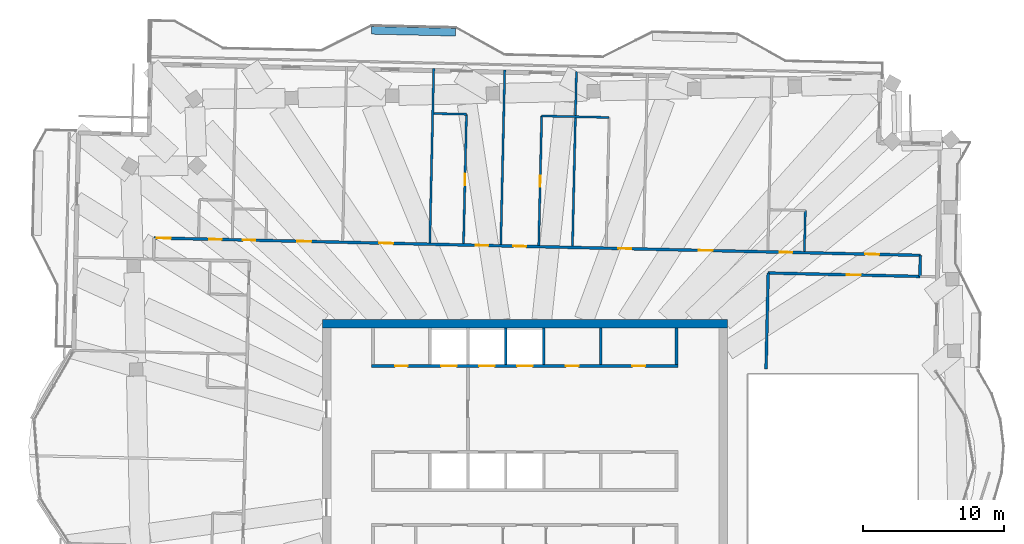
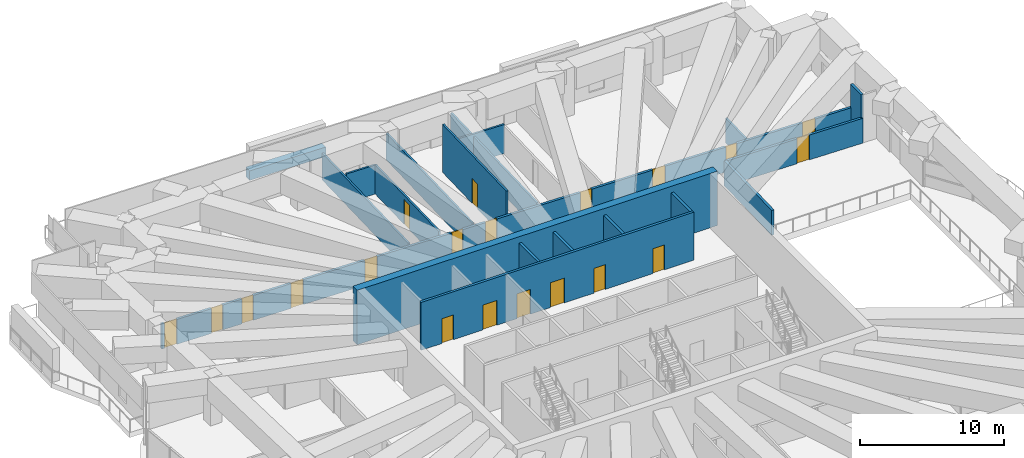
# One storey, part 13 of 20: 20 doors, 19 walls, 20 openings.
"""IFC4 building model written with IfcOpenShell, lengths in metres."""

from ifc_helpers import new_model, si_unit, direction, frame, frame_2d, origin, place, context, subcontext, project, spatial, rectangle, extrude, material, layer, layer_set, type_object, element, fill, save


model = new_model("IFC4")

# Units and contexts
model_context = context("Model", 3, precision=1e-05, world=origin(), true_north=direction((0.0, 1.0)))
body_context = subcontext(model_context, "Body", "Model", "MODEL_VIEW")
ifc_project = project(units=[si_unit("LENGTHUNIT", "METRE"), si_unit("AREAUNIT", "SQUARE_METRE"), si_unit("VOLUMEUNIT", "CUBIC_METRE"), si_unit("PLANEANGLEUNIT", "RADIAN"), si_unit("MASSUNIT", "GRAM", prefix="KILO")], contexts=[model_context])

# Site, building, storey
site_placement = place(None, origin())
site = spatial("IfcSite", under=ifc_project, at=site_placement, CompositionType="ELEMENT")
building_placement = place(site_placement, origin())
building = spatial("IfcBuilding", under=site, at=building_placement, Name="Mangrove Gate Tower", CompositionType="ELEMENT")
storey_placement = place(building_placement, frame((0.0, 0.0, 301.5)))
storey = spatial("IfcBuildingStorey", under=building, at=storey_placement, Name="L77", CompositionType="ELEMENT", Elevation=301.5)

# Walls
ifc_material_1 = material(Name="Concrete C32/40", Category="concrete")
ifc_layer_1 = layer(ifc_material_1, 0.199951171875)
ifc_layer_set_1 = layer_set([ifc_layer_1], Name="Core room wall 200 C32/40")
wall_type_1 = type_object("IfcWallType", Name="Core room wall 200 C32/40", PredefinedType="STANDARD", material=ifc_layer_set_1)
for number, where, z_axis, x_axis, name in (
    (1, (5.39990234375, 8.199951171875, 0.0), (0.0, 0.0, 1.0), (0.0, 1.0, 0.0), "WALL-L77-CORE-31"),
    (2, (10.800048828125, 8.199951171875, 0.0), (0.0, 0.0, 1.0), (0.0, 1.0, 0.0), "WALL-L77-CORE-32"),
):
    element("IfcWall", number, at=place(storey_placement, frame(where, z_axis=z_axis, x_axis=x_axis)), inside=storey, type_object=wall_type_1, Name=name, PredefinedType="STANDARD", context=body_context, shape_type="SweptSolid", body=[
        extrude(rectangle(XDim=2.60009765625, YDim=0.199951171875, at=frame_2d((1.300048828125, 0.0))), origin(), (0.0, 0.0, 1.0), 4.050048828125),
    ])

# Wall, openings, doors
ifc_material_2 = material(Name="Concrete C50/60", Category="concrete")
ifc_layer_2 = layer(ifc_material_2, 0.199951171875)
ifc_layer_set_2 = layer_set([ifc_layer_2], Name="Core shaft wall 200 C50/60")
wall_type_2 = type_object("IfcWallType", Name="Core shaft wall 200 C50/60", PredefinedType="SHEAR", material=ifc_layer_set_2)
wall_1_placement = place(storey_placement, frame((-10.89990234375, 8.10009765625, 0.0), z_axis=(0.0, 0.0, 1.0), x_axis=(1.0, 0.0, 0.0)))
wall_1 = element("IfcWall", 3, at=wall_1_placement, inside=storey, type_object=wall_type_2, Name="WALL-L77-CORE-8", PredefinedType="SHEAR", context=body_context, shape_type="SweptSolid", body=[
    extrude(rectangle(XDim=21.7998046875, YDim=0.199951171875, at=frame_2d((10.89990234375, 0.0))), origin(), (0.0, 0.0, 1.0), 4.050048828125),
])
opening_1_placement = place(wall_1_placement, frame((4.949951171875, 0.0, 0.0)))
opening_1 = element("IfcOpeningElement", 4, at=opening_1_placement, cuts=wall_1, Name="Opening LD", PredefinedType="OPENING", context=body_context, shape_type="SweptSolid", body=[
    extrude(rectangle(XDim=1.10009765625, YDim=2.10009765625, at=frame_2d((0.550048828125, 1.050048828125))), frame((0.0, 0.10986328125, 0.0), z_axis=(0.0, -1.0, 0.0), x_axis=(1.0, 0.0, 0.0)), (0.0, 0.0, 1.0), 0.219970703125),
])
opening_2_placement = place(wall_1_placement, frame((7.64990234375, 0.0, 0.0)))
opening_2 = element("IfcOpeningElement", 5, at=opening_2_placement, cuts=wall_1, Name="Opening LD", PredefinedType="OPENING", context=body_context, shape_type="SweptSolid", body=[
    extrude(rectangle(XDim=1.10009765625, YDim=2.10009765625, at=frame_2d((0.550048828125, 1.050048828125))), frame((0.0, 0.10986328125, 0.0), z_axis=(0.0, -1.0, 0.0), x_axis=(1.0, 0.0, 0.0)), (0.0, 0.0, 1.0), 0.219970703125),
])
opening_3_placement = place(wall_1_placement, frame((10.35009765625, 0.0, 0.0)))
opening_3 = element("IfcOpeningElement", 6, at=opening_3_placement, cuts=wall_1, Name="Opening LD", PredefinedType="OPENING", context=body_context, shape_type="SweptSolid", body=[
    extrude(rectangle(XDim=1.10009765625, YDim=2.10009765625, at=frame_2d((0.550048828125, 1.050048828125))), frame((0.0, 0.10986328125, 0.0), z_axis=(0.0, -1.0, 0.0), x_axis=(1.0, 0.0, 0.0)), (0.0, 0.0, 1.0), 0.219970703125),
])
opening_4_placement = place(wall_1_placement, frame((1.675048828125, 0.0, 0.0)))
opening_4 = element("IfcOpeningElement", 7, at=opening_4_placement, cuts=wall_1, Name="Opening KD", PredefinedType="OPENING", context=body_context, shape_type="SweptSolid", body=[
    extrude(rectangle(XDim=0.89990234375, YDim=2.10009765625, at=frame_2d((0.449951171875, 1.050048828125))), frame((0.0, 0.10986328125, 0.0), z_axis=(0.0, -1.0, 0.0), x_axis=(1.0, 0.0, 0.0)), (0.0, 0.0, 1.0), 0.219970703125),
])
opening_5_placement = place(wall_1_placement, frame((13.824951171875, 0.0, 0.0)))
opening_5 = element("IfcOpeningElement", 8, at=opening_5_placement, cuts=wall_1, Name="Opening KD", PredefinedType="OPENING", context=body_context, shape_type="SweptSolid", body=[
    extrude(rectangle(XDim=0.89990234375, YDim=2.10009765625, at=frame_2d((0.449951171875, 1.050048828125))), frame((0.0, 0.10986328125, 0.0), z_axis=(0.0, -1.0, 0.0), x_axis=(1.0, 0.0, 0.0)), (0.0, 0.0, 1.0), 0.219970703125),
])
opening_6_placement = place(wall_1_placement, frame((18.550048828125, 0.0, 0.0)))
opening_6 = element("IfcOpeningElement", 9, at=opening_6_placement, cuts=wall_1, Name="Opening RD", PredefinedType="OPENING", context=body_context, shape_type="SweptSolid", body=[
    extrude(rectangle(XDim=0.89990234375, YDim=2.10009765625, at=frame_2d((0.449951171875, 1.050048828125))), frame((0.0, 0.10986328125, 0.0), z_axis=(0.0, -1.0, 0.0), x_axis=(1.0, 0.0, 0.0)), (0.0, 0.0, 1.0), 0.219970703125),
])
ifc_material_3 = material(Name="Fire-rated steel door set", Category="steel")
door_type_1 = type_object("IfcDoorType", Name="Core room door FD30S 900x2100", OperationType="SINGLE_SWING_RIGHT", PredefinedType="DOOR", material=ifc_material_3)
door_1_placement = place(opening_4_placement, origin())
door_1 = element("IfcDoor", 10, at=door_1_placement, inside=storey, type_object=door_type_1, Name="Core room door Cleaner's store", OperationType="SINGLE_SWING_RIGHT", OverallHeight=2.10009765625, OverallWidth=0.89990234375, PredefinedType="DOOR", context=body_context, shape_type="SweptSolid", body=[
    extrude(rectangle(XDim=0.89990234375, YDim=2.10009765625, at=frame_2d((0.449951171875, 1.050048828125))), frame((0.0, 0.02490234375, 0.0), z_axis=(0.0, -1.0, 0.0), x_axis=(1.0, 0.0, 0.0)), (0.0, 0.0, 1.0), 0.050048828125),
])
fill(opening_4, door_1)
door_2_placement = place(opening_5_placement, origin())
door_2 = element("IfcDoor", 11, at=door_2_placement, inside=storey, type_object=door_type_1, Name="Core room door Refuse store", OperationType="SINGLE_SWING_RIGHT", OverallHeight=2.10009765625, OverallWidth=0.89990234375, PredefinedType="DOOR", context=body_context, shape_type="SweptSolid", body=[
    extrude(rectangle(XDim=0.89990234375, YDim=2.10009765625, at=frame_2d((0.449951171875, 1.050048828125))), frame((0.0, 0.02490234375, 0.0), z_axis=(0.0, -1.0, 0.0), x_axis=(1.0, 0.0, 0.0)), (0.0, 0.0, 1.0), 0.050048828125),
])
fill(opening_5, door_2)
ifc_material_4 = material(Name="Stainless steel 316", Category="steel")
door_type_2 = type_object("IfcDoorType", Name="Lift landing door 1100x2100", OperationType="SLIDING_TO_LEFT", PredefinedType="DOOR", material=ifc_material_4)
door_3_placement = place(opening_1_placement, origin())
door_3 = element("IfcDoor", 12, at=door_3_placement, inside=storey, type_object=door_type_2, Name="Landing door LD H04", OperationType="SLIDING_TO_LEFT", OverallHeight=2.10009765625, OverallWidth=1.10009765625, PredefinedType="DOOR", context=body_context, shape_type="SweptSolid", body=[
    extrude(rectangle(XDim=1.10009765625, YDim=2.10009765625, at=frame_2d((0.550048828125, 1.050048828125))), frame((0.0, 0.02490234375, 0.0), z_axis=(0.0, -1.0, 0.0), x_axis=(1.0, 0.0, 0.0)), (0.0, 0.0, 1.0), 0.050048828125),
])
fill(opening_1, door_3)
door_4_placement = place(opening_2_placement, origin())
door_4 = element("IfcDoor", 13, at=door_4_placement, inside=storey, type_object=door_type_2, Name="Landing door LD H05", OperationType="SLIDING_TO_LEFT", OverallHeight=2.10009765625, OverallWidth=1.10009765625, PredefinedType="DOOR", context=body_context, shape_type="SweptSolid", body=[
    extrude(rectangle(XDim=1.10009765625, YDim=2.10009765625, at=frame_2d((0.550048828125, 1.050048828125))), frame((0.0, 0.02490234375, 0.0), z_axis=(0.0, -1.0, 0.0), x_axis=(1.0, 0.0, 0.0)), (0.0, 0.0, 1.0), 0.050048828125),
])
fill(opening_2, door_4)
door_5_placement = place(opening_3_placement, origin())
door_5 = element("IfcDoor", 14, at=door_5_placement, inside=storey, type_object=door_type_2, Name="Landing door LD H06", OperationType="SLIDING_TO_LEFT", OverallHeight=2.10009765625, OverallWidth=1.10009765625, PredefinedType="DOOR", context=body_context, shape_type="SweptSolid", body=[
    extrude(rectangle(XDim=1.10009765625, YDim=2.10009765625, at=frame_2d((0.550048828125, 1.050048828125))), frame((0.0, 0.02490234375, 0.0), z_axis=(0.0, -1.0, 0.0), x_axis=(1.0, 0.0, 0.0)), (0.0, 0.0, 1.0), 0.050048828125),
])
fill(opening_3, door_5)
ifc_material_5 = material(Name="Fire-rated steel door set", Category="steel")
door_type_3 = type_object("IfcDoorType", Name="Riser door FD30S 900x2100", OperationType="SINGLE_SWING_LEFT", PredefinedType="DOOR", material=ifc_material_5)
door_6_placement = place(opening_6_placement, origin())
door_6 = element("IfcDoor", 15, at=door_6_placement, inside=storey, type_object=door_type_3, Name="Riser door Electrical room", OperationType="SINGLE_SWING_LEFT", OverallHeight=2.10009765625, OverallWidth=0.89990234375, PredefinedType="DOOR", context=body_context, shape_type="SweptSolid", body=[
    extrude(rectangle(XDim=0.89990234375, YDim=2.10009765625, at=frame_2d((0.449951171875, 1.050048828125))), frame((0.0, 0.02490234375, 0.0), z_axis=(0.0, -1.0, 0.0), x_axis=(1.0, 0.0, 0.0)), (0.0, 0.0, 1.0), 0.050048828125),
])
fill(opening_6, door_6)

# Walls
for number, where, z_axis, x_axis, name in (
    (16, (-1.35009765625, 8.199951171875, 0.0), (0.0, 0.0, 1.0), (0.0, 1.0, 0.0), "WALL-L77-CORE-29"),
    (17, (1.35009765625, 8.199951171875, 0.0), (0.0, 0.0, 1.0), (0.0, 1.0, 0.0), "WALL-L77-CORE-30"),
):
    element("IfcWall", number, at=place(storey_placement, frame(where, z_axis=z_axis, x_axis=x_axis)), inside=storey, type_object=wall_type_2, Name=name, PredefinedType="SHEAR", context=body_context, shape_type="SweptSolid", body=[
        extrude(rectangle(XDim=2.60009765625, YDim=0.199951171875, at=frame_2d((1.300048828125, 0.0))), origin(), (0.0, 0.0, 1.0), 4.050048828125),
    ])
ifc_material_6 = material(Name="Concrete C50/60", Category="concrete")
ifc_layer_3 = layer(ifc_material_6, 0.60009765625)
ifc_layer_set_3 = layer_set([ifc_layer_3], Name="Core wall 600 C50/60")
wall_type_3 = type_object("IfcWallType", Name="Core wall 600 C50/60", PredefinedType="SHEAR", material=ifc_layer_set_3)
wall_2_placement = place(storey_placement, frame((-14.39990234375, 11.10009765625, 0.0), z_axis=(0.0, 0.0, 1.0), x_axis=(1.0, 0.0, 0.0)))
element("IfcWall", 18, at=wall_2_placement, inside=storey, type_object=wall_type_3, Name="WALL-L77-CORE-2", PredefinedType="SHEAR", context=body_context, shape_type="SweptSolid", body=[
    extrude(rectangle(XDim=28.7998046875, YDim=0.60009765625, at=frame_2d((14.39990234375, 0.0))), origin(), (0.0, 0.0, 1.0), 4.60009765625),
])
ifc_material_7 = material(Name="Gypsum board on steel stud, EI 60", Category="steel")
ifc_layer_4 = layer(ifc_material_7, 0.199951171875)
ifc_layer_set_4 = layer_set([ifc_layer_4], Name="Corridor wall EI 60")
wall_type_4 = type_object("IfcWallType", Name="Corridor wall EI 60", PredefinedType="PARTITIONING", material=ifc_layer_set_4)
wall_3_placement = place(storey_placement, frame((17.156982421875, 7.89794921875, 0.0), z_axis=(0.0, 0.0, 1.0), x_axis=(0.022562209343, 0.999745440955, 0.0)))
element("IfcWall", 19, at=wall_3_placement, inside=storey, type_object=wall_type_4, Name="WALL-L77-038", PredefinedType="PARTITIONING", context=body_context, shape_type="SweptSolid", body=[
    extrude(rectangle(XDim=6.827880859375, YDim=0.199951171875, at=frame_2d((3.4140625, 0.0))), origin(), (0.0, 0.0, 1.0), 2.10009765625),
])

# Wall, opening, door
wall_4_placement = place(storey_placement, frame((17.305908203125, 14.72412109375, 0.0), z_axis=(0.0, 0.0, 1.0), x_axis=(0.999744269809, -0.022614043969, 0.0)))
wall_4 = element("IfcWall", 20, at=wall_4_placement, inside=storey, type_object=wall_type_4, Name="WALL-L77-045", PredefinedType="PARTITIONING", context=body_context, shape_type="SweptSolid", body=[
    extrude(rectangle(XDim=10.7958984375, YDim=0.199951171875, at=frame_2d((5.39794921875, 0.0))), origin(), (0.0, 0.0, 1.0), 2.10009765625),
])
opening_7_placement = place(wall_4_placement, frame((5.597900390625, 0.0, 0.0)))
opening_7 = element("IfcOpeningElement", 21, at=opening_7_placement, cuts=wall_4, Name="Opening AD", PredefinedType="OPENING", context=body_context, shape_type="SweptSolid", body=[
    extrude(rectangle(XDim=1.0, YDim=2.10009765625, at=frame_2d((0.5, 1.050048828125))), frame((0.0, 0.10986328125, 0.0), z_axis=(0.0, -1.0, 0.0), x_axis=(1.0, 0.0, 0.0)), (0.0, 0.0, 1.0), 0.219970703125),
])
ifc_material_8 = material(Name="Timber door leaf", Category="wood")
door_type_4 = type_object("IfcDoorType", Name="Amenity door 1000", OperationType="SINGLE_SWING_LEFT", PredefinedType="DOOR", material=ifc_material_8)
door_7_placement = place(opening_7_placement, origin())
door_7 = element("IfcDoor", 22, at=door_7_placement, inside=storey, type_object=door_type_4, Name="DOOR-L77-LNG-c3a", OperationType="SINGLE_SWING_LEFT", OverallHeight=2.10009765625, OverallWidth=1.0, PredefinedType="DOOR", context=body_context, shape_type="SweptSolid", body=[
    extrude(rectangle(XDim=1.0, YDim=2.10009765625, at=frame_2d((0.5, 1.050048828125))), frame((0.0, 0.02490234375, 0.0), z_axis=(0.0, -1.0, 0.0), x_axis=(1.0, 0.0, 0.0)), (0.0, 0.0, 1.0), 0.050048828125),
])
fill(opening_7, door_7)

# Wall
wall_5_placement = place(storey_placement, frame((28.09912109375, 14.47998046875, 0.0), z_axis=(0.0, 0.0, 1.0), x_axis=(0.022632637625, 0.99974384905, 0.0)))
element("IfcWall", 23, at=wall_5_placement, inside=storey, type_object=wall_type_4, Name="WALL-L77-047", PredefinedType="PARTITIONING", context=body_context, shape_type="SweptSolid", body=[
    extrude(rectangle(XDim=1.49951171875, YDim=0.199951171875, at=frame_2d((0.749755859375, 0.0))), origin(), (0.0, 0.0, 1.0), 4.050048828125),
])

# Wall, openings, doors
wall_6_placement = place(storey_placement, frame((-26.362060546875, 17.216064453125, 0.0), z_axis=(0.0, 0.0, 1.0), x_axis=(0.999742445627, -0.022694545867, 0.0)))
wall_6 = element("IfcWall", 24, at=wall_6_placement, inside=storey, type_object=wall_type_4, Name="WALL-L77-048", PredefinedType="PARTITIONING", context=body_context, shape_type="SweptSolid", body=[
    extrude(rectangle(XDim=54.50927734375, YDim=0.199951171875, at=frame_2d((27.254638671875, 0.0))), origin(), (0.0, 0.0, 1.0), 2.10009765625),
])
opening_8_placement = place(wall_6_placement, frame((50.583984375, 0.0, 0.0)))
opening_8 = element("IfcOpeningElement", 25, at=opening_8_placement, cuts=wall_6, Name="Opening AD", PredefinedType="OPENING", context=body_context, shape_type="SweptSolid", body=[
    extrude(rectangle(XDim=1.0, YDim=2.10009765625, at=frame_2d((0.5, 1.050048828125))), frame((0.0, 0.10986328125, 0.0), z_axis=(0.0, -1.0, 0.0), x_axis=(1.0, 0.0, 0.0)), (0.0, 0.0, 1.0), 0.219970703125),
])
opening_9_placement = place(wall_6_placement, frame((44.509033203125, 0.0, 0.0)))
opening_9 = element("IfcOpeningElement", 26, at=opening_9_placement, cuts=wall_6, Name="Opening SD", PredefinedType="OPENING", context=body_context, shape_type="SweptSolid", body=[
    extrude(rectangle(XDim=0.89990234375, YDim=2.10009765625, at=frame_2d((0.449951171875, 1.050048828125))), frame((0.0, 0.10986328125, 0.0), z_axis=(0.0, -1.0, 0.0), x_axis=(1.0, 0.0, 0.0)), (0.0, 0.0, 1.0), 0.219970703125),
])
opening_10_placement = place(wall_6_placement, frame((38.73388671875, 0.0, 0.0)))
opening_10 = element("IfcOpeningElement", 27, at=opening_10_placement, cuts=wall_6, Name="Opening AD", PredefinedType="OPENING", context=body_context, shape_type="SweptSolid", body=[
    extrude(rectangle(XDim=1.0, YDim=2.10009765625, at=frame_2d((0.5, 1.050048828125))), frame((0.0, 0.10986328125, 0.0), z_axis=(0.0, -1.0, 0.0), x_axis=(1.0, 0.0, 0.0)), (0.0, 0.0, 1.0), 0.219970703125),
])
opening_11_placement = place(wall_6_placement, frame((33.033935546875, 0.0, 0.0)))
opening_11 = element("IfcOpeningElement", 28, at=opening_11_placement, cuts=wall_6, Name="Opening BD", PredefinedType="OPENING", context=body_context, shape_type="SweptSolid", body=[
    extrude(rectangle(XDim=0.89990234375, YDim=2.10009765625, at=frame_2d((0.449951171875, 1.050048828125))), frame((0.0, 0.10986328125, 0.0), z_axis=(0.0, -1.0, 0.0), x_axis=(1.0, 0.0, 0.0)), (0.0, 0.0, 1.0), 0.219970703125),
])
opening_12_placement = place(wall_6_placement, frame((25.55908203125, 0.0, 0.0)))
opening_12 = element("IfcOpeningElement", 29, at=opening_12_placement, cuts=wall_6, Name="Opening BD", PredefinedType="OPENING", context=body_context, shape_type="SweptSolid", body=[
    extrude(rectangle(XDim=0.89990234375, YDim=2.10009765625, at=frame_2d((0.449951171875, 1.050048828125))), frame((0.0, 0.10986328125, 0.0), z_axis=(0.0, -1.0, 0.0), x_axis=(1.0, 0.0, 0.0)), (0.0, 0.0, 1.0), 0.219970703125),
])
opening_13_placement = place(wall_6_placement, frame((22.884033203125, 0.0, 0.0)))
opening_13 = element("IfcOpeningElement", 30, at=opening_13_placement, cuts=wall_6, Name="Opening BD", PredefinedType="OPENING", context=body_context, shape_type="SweptSolid", body=[
    extrude(rectangle(XDim=0.89990234375, YDim=2.10009765625, at=frame_2d((0.449951171875, 1.050048828125))), frame((0.0, 0.10986328125, 0.0), z_axis=(0.0, -1.0, 0.0), x_axis=(1.0, 0.0, 0.0)), (0.0, 0.0, 1.0), 0.219970703125),
])
opening_14_placement = place(wall_6_placement, frame((16.009033203125, 0.0, 0.0)))
opening_14 = element("IfcOpeningElement", 31, at=opening_14_placement, cuts=wall_6, Name="Opening AD", PredefinedType="OPENING", context=body_context, shape_type="SweptSolid", body=[
    extrude(rectangle(XDim=1.0, YDim=2.10009765625, at=frame_2d((0.5, 1.050048828125))), frame((0.0, 0.10986328125, 0.0), z_axis=(0.0, -1.0, 0.0), x_axis=(1.0, 0.0, 0.0)), (0.0, 0.0, 1.0), 0.219970703125),
])
opening_15_placement = place(wall_6_placement, frame((10.18408203125, 0.0, 0.0)))
opening_15 = element("IfcOpeningElement", 32, at=opening_15_placement, cuts=wall_6, Name="Opening AD", PredefinedType="OPENING", context=body_context, shape_type="SweptSolid", body=[
    extrude(rectangle(XDim=1.0, YDim=2.10009765625, at=frame_2d((0.5, 1.050048828125))), frame((0.0, 0.10986328125, 0.0), z_axis=(0.0, -1.0, 0.0), x_axis=(1.0, 0.0, 0.0)), (0.0, 0.0, 1.0), 0.219970703125),
])
opening_16_placement = place(wall_6_placement, frame((6.30908203125, 0.0, 0.0)))
opening_16 = element("IfcOpeningElement", 33, at=opening_16_placement, cuts=wall_6, Name="Opening SD", PredefinedType="OPENING", context=body_context, shape_type="SweptSolid", body=[
    extrude(rectangle(XDim=0.89990234375, YDim=2.10009765625, at=frame_2d((0.449951171875, 1.050048828125))), frame((0.0, 0.10986328125, 0.0), z_axis=(0.0, -1.0, 0.0), x_axis=(1.0, 0.0, 0.0)), (0.0, 0.0, 1.0), 0.219970703125),
])
opening_17_placement = place(wall_6_placement, frame((0.199951171875, 0.0, 0.0)))
opening_17 = element("IfcOpeningElement", 34, at=opening_17_placement, cuts=wall_6, Name="Opening AD", PredefinedType="OPENING", context=body_context, shape_type="SweptSolid", body=[
    extrude(rectangle(XDim=1.0, YDim=2.10009765625, at=frame_2d((0.5, 1.050048828125))), frame((0.0, 0.10986328125, 0.0), z_axis=(0.0, -1.0, 0.0), x_axis=(1.0, 0.0, 0.0)), (0.0, 0.0, 1.0), 0.219970703125),
])
opening_18_placement = place(wall_6_placement, frame((3.908935546875, 0.0, 0.0)))
opening_18 = element("IfcOpeningElement", 35, at=opening_18_placement, cuts=wall_6, Name="Opening SD", PredefinedType="OPENING", context=body_context, shape_type="SweptSolid", body=[
    extrude(rectangle(XDim=0.89990234375, YDim=2.10009765625, at=frame_2d((0.449951171875, 1.050048828125))), frame((0.0, 0.10986328125, 0.0), z_axis=(0.0, -1.0, 0.0), x_axis=(1.0, 0.0, 0.0)), (0.0, 0.0, 1.0), 0.219970703125),
])
door_8_placement = place(opening_8_placement, origin())
door_8 = element("IfcDoor", 36, at=door_8_placement, inside=storey, type_object=door_type_4, Name="DOOR-L77-GAM-c3a", OperationType="SINGLE_SWING_RIGHT", OverallHeight=2.10009765625, OverallWidth=1.0, PredefinedType="DOOR", context=body_context, shape_type="SweptSolid", body=[
    extrude(rectangle(XDim=1.0, YDim=2.10009765625, at=frame_2d((0.5, 1.050048828125))), frame((0.0, 0.02490234375, 0.0), z_axis=(0.0, -1.0, 0.0), x_axis=(1.0, 0.0, 0.0)), (0.0, 0.0, 1.0), 0.050048828125),
])
fill(opening_8, door_8)
door_9_placement = place(opening_10_placement, origin())
door_9 = element("IfcDoor", 37, at=door_9_placement, inside=storey, type_object=door_type_4, Name="DOOR-L77-LNG-c3b", OperationType="SINGLE_SWING_LEFT", OverallHeight=2.10009765625, OverallWidth=1.0, PredefinedType="DOOR", context=body_context, shape_type="SweptSolid", body=[
    extrude(rectangle(XDim=1.0, YDim=2.10009765625, at=frame_2d((0.5, 1.050048828125))), frame((0.0, 0.02490234375, 0.0), z_axis=(0.0, -1.0, 0.0), x_axis=(1.0, 0.0, 0.0)), (0.0, 0.0, 1.0), 0.050048828125),
])
fill(opening_10, door_9)
door_10_placement = place(opening_14_placement, origin())
door_10 = element("IfcDoor", 38, at=door_10_placement, inside=storey, type_object=door_type_4, Name="DOOR-L77-KIT-c5a", OperationType="SINGLE_SWING_RIGHT", OverallHeight=2.10009765625, OverallWidth=1.0, PredefinedType="DOOR", context=body_context, shape_type="SweptSolid", body=[
    extrude(rectangle(XDim=1.0, YDim=2.10009765625, at=frame_2d((0.5, 1.050048828125))), frame((0.0, 0.02490234375, 0.0), z_axis=(0.0, -1.0, 0.0), x_axis=(1.0, 0.0, 0.0)), (0.0, 0.0, 1.0), 0.050048828125),
])
fill(opening_14, door_10)
door_11_placement = place(opening_15_placement, origin())
door_11 = element("IfcDoor", 39, at=door_11_placement, inside=storey, type_object=door_type_4, Name="DOOR-L77-GAM-c5a", OperationType="SINGLE_SWING_LEFT", OverallHeight=2.10009765625, OverallWidth=1.0, PredefinedType="DOOR", context=body_context, shape_type="SweptSolid", body=[
    extrude(rectangle(XDim=1.0, YDim=2.10009765625, at=frame_2d((0.5, 1.050048828125))), frame((0.0, 0.02490234375, 0.0), z_axis=(0.0, -1.0, 0.0), x_axis=(1.0, 0.0, 0.0)), (0.0, 0.0, 1.0), 0.050048828125),
])
fill(opening_15, door_11)
door_12_placement = place(opening_17_placement, origin())
door_12 = element("IfcDoor", 40, at=door_12_placement, inside=storey, type_object=door_type_4, Name="DOOR-L77-KIT-c5b", OperationType="SINGLE_SWING_RIGHT", OverallHeight=2.10009765625, OverallWidth=1.0, PredefinedType="DOOR", context=body_context, shape_type="SweptSolid", body=[
    extrude(rectangle(XDim=1.0, YDim=2.10009765625, at=frame_2d((0.5, 1.050048828125))), frame((0.0, 0.02490234375, 0.0), z_axis=(0.0, -1.0, 0.0), x_axis=(1.0, 0.0, 0.0)), (0.0, 0.0, 1.0), 0.050048828125),
])
fill(opening_17, door_12)
ifc_material_9 = material(Name="Timber door leaf", Category="wood")
door_type_5 = type_object("IfcDoorType", Name="Bedroom door 900", OperationType="SINGLE_SWING_LEFT", PredefinedType="DOOR", material=ifc_material_9)
door_13_placement = place(opening_11_placement, origin())
door_13 = element("IfcDoor", 41, at=door_13_placement, inside=storey, type_object=door_type_5, Name="DOOR-L77-BED-c304", OperationType="SINGLE_SWING_RIGHT", OverallHeight=2.10009765625, OverallWidth=0.89990234375, PredefinedType="DOOR", context=body_context, shape_type="SweptSolid", body=[
    extrude(rectangle(XDim=0.89990234375, YDim=2.10009765625, at=frame_2d((0.449951171875, 1.050048828125))), frame((0.0, 0.02490234375, 0.0), z_axis=(0.0, -1.0, 0.0), x_axis=(1.0, 0.0, 0.0)), (0.0, 0.0, 1.0), 0.050048828125),
])
fill(opening_11, door_13)
door_14_placement = place(opening_12_placement, origin())
door_14 = element("IfcDoor", 42, at=door_14_placement, inside=storey, type_object=door_type_5, Name="DOOR-L77-BED-c405", OperationType="SINGLE_SWING_LEFT", OverallHeight=2.10009765625, OverallWidth=0.89990234375, PredefinedType="DOOR", context=body_context, shape_type="SweptSolid", body=[
    extrude(rectangle(XDim=0.89990234375, YDim=2.10009765625, at=frame_2d((0.449951171875, 1.050048828125))), frame((0.0, 0.02490234375, 0.0), z_axis=(0.0, -1.0, 0.0), x_axis=(1.0, 0.0, 0.0)), (0.0, 0.0, 1.0), 0.050048828125),
])
fill(opening_12, door_14)
door_15_placement = place(opening_13_placement, origin())
door_15 = element("IfcDoor", 43, at=door_15_placement, inside=storey, type_object=door_type_5, Name="DOOR-L77-BED-c506", OperationType="SINGLE_SWING_RIGHT", OverallHeight=2.10009765625, OverallWidth=0.89990234375, PredefinedType="DOOR", context=body_context, shape_type="SweptSolid", body=[
    extrude(rectangle(XDim=0.89990234375, YDim=2.10009765625, at=frame_2d((0.449951171875, 1.050048828125))), frame((0.0, 0.02490234375, 0.0), z_axis=(0.0, -1.0, 0.0), x_axis=(1.0, 0.0, 0.0)), (0.0, 0.0, 1.0), 0.050048828125),
])
fill(opening_13, door_15)
ifc_material_10 = material(Name="Timber door leaf", Category="wood")
door_type_6 = type_object("IfcDoorType", Name="Service room door 900", OperationType="SINGLE_SWING_LEFT", PredefinedType="DOOR", material=ifc_material_10)
door_16_placement = place(opening_9_placement, origin())
door_16 = element("IfcDoor", 44, at=door_16_placement, inside=storey, type_object=door_type_6, Name="DOOR-L77-AWC-c3a", OperationType="SINGLE_SWING_LEFT", OverallHeight=2.10009765625, OverallWidth=0.89990234375, PredefinedType="DOOR", context=body_context, shape_type="SweptSolid", body=[
    extrude(rectangle(XDim=0.89990234375, YDim=2.10009765625, at=frame_2d((0.449951171875, 1.050048828125))), frame((0.0, 0.02490234375, 0.0), z_axis=(0.0, -1.0, 0.0), x_axis=(1.0, 0.0, 0.0)), (0.0, 0.0, 1.0), 0.050048828125),
])
fill(opening_9, door_16)
door_17_placement = place(opening_16_placement, origin())
door_17 = element("IfcDoor", 45, at=door_17_placement, inside=storey, type_object=door_type_6, Name="DOOR-L77-LIN-c5a", OperationType="SINGLE_SWING_RIGHT", OverallHeight=2.10009765625, OverallWidth=0.89990234375, PredefinedType="DOOR", context=body_context, shape_type="SweptSolid", body=[
    extrude(rectangle(XDim=0.89990234375, YDim=2.10009765625, at=frame_2d((0.449951171875, 1.050048828125))), frame((0.0, 0.02490234375, 0.0), z_axis=(0.0, -1.0, 0.0), x_axis=(1.0, 0.0, 0.0)), (0.0, 0.0, 1.0), 0.050048828125),
])
fill(opening_16, door_17)
door_18_placement = place(opening_18_placement, origin())
door_18 = element("IfcDoor", 46, at=door_18_placement, inside=storey, type_object=door_type_6, Name="DOOR-L77-WC-c5a", OperationType="SINGLE_SWING_LEFT", OverallHeight=2.10009765625, OverallWidth=0.89990234375, PredefinedType="DOOR", context=body_context, shape_type="SweptSolid", body=[
    extrude(rectangle(XDim=0.89990234375, YDim=2.10009765625, at=frame_2d((0.449951171875, 1.050048828125))), frame((0.0, 0.02490234375, 0.0), z_axis=(0.0, -1.0, 0.0), x_axis=(1.0, 0.0, 0.0)), (0.0, 0.0, 1.0), 0.050048828125),
])
fill(opening_18, door_18)

# Wall
ifc_material_11 = material(Name="Gypsum board on steel stud, EI 60", Category="steel")
ifc_layer_5 = layer(ifc_material_11, 0.14990234375)
ifc_layer_set_5 = layer_set([ifc_layer_5], Name="Party wall 150 EI 60")
wall_type_5 = type_object("IfcWallType", Name="Party wall 150 EI 60", PredefinedType="PARTITIONING", material=ifc_layer_set_5)
wall_7_placement = place(storey_placement, frame((-6.756103515625, 16.87109375, 0.0), z_axis=(0.0, 0.0, 1.0), x_axis=(0.022661475803, 0.999743195783, 0.0)))
element("IfcWall", 47, at=wall_7_placement, inside=storey, type_object=wall_type_5, Name="WALL-L77-053", PredefinedType="PARTITIONING", context=body_context, shape_type="SweptSolid", body=[
    extrude(rectangle(XDim=12.400146484375, YDim=0.14990234375, at=frame_2d((6.2001953125, 0.0))), origin(), (0.0, 0.0, 1.0), 2.25),
])

# Wall, opening, door
wall_8_placement = place(storey_placement, frame((-4.35693359375, 16.81591796875, 0.0), z_axis=(0.0, 0.0, 1.0), x_axis=(0.02271477479, 0.999741986218, 0.0)))
wall_8 = element("IfcWall", 48, at=wall_8_placement, inside=storey, type_object=wall_type_5, Name="WALL-L77-054", PredefinedType="PARTITIONING", context=body_context, shape_type="SweptSolid", body=[
    extrude(rectangle(XDim=9.200439453125, YDim=0.14990234375, at=frame_2d((4.60009765625, 0.0))), origin(), (0.0, 0.0, 1.0), 2.449951171875),
])
opening_19_placement = place(wall_8_placement, frame((4.14990234375, 0.0, 0.0)))
opening_19 = element("IfcOpeningElement", 49, at=opening_19_placement, cuts=wall_8, Name="Opening ED", PredefinedType="OPENING", context=body_context, shape_type="SweptSolid", body=[
    extrude(rectangle(XDim=0.800048828125, YDim=2.10009765625, at=frame_2d((0.39990234375, 1.050048828125))), frame((0.0, 0.0849609375, 0.0), z_axis=(0.0, -1.0, 0.0), x_axis=(1.0, 0.0, 0.0)), (0.0, 0.0, 1.0), 0.169921875),
])
ifc_material_12 = material(Name="Timber door leaf", Category="wood")
door_type_7 = type_object("IfcDoorType", Name="En-suite door 800", OperationType="SINGLE_SWING_LEFT", PredefinedType="DOOR", material=ifc_material_12)
door_19_placement = place(opening_19_placement, origin())
door_19 = element("IfcDoor", 50, at=door_19_placement, inside=storey, type_object=door_type_7, Name="DOOR-L77-ENS-c506", OperationType="SINGLE_SWING_RIGHT", OverallHeight=2.10009765625, OverallWidth=0.800048828125, PredefinedType="DOOR", context=body_context, shape_type="SweptSolid", body=[
    extrude(rectangle(XDim=0.800048828125, YDim=2.10009765625, at=frame_2d((0.39990234375, 1.050048828125))), frame((0.0, 0.02490234375, 0.0), z_axis=(0.0, -1.0, 0.0), x_axis=(1.0, 0.0, 0.0)), (0.0, 0.0, 1.0), 0.050048828125),
])
fill(opening_19, door_19)

# Wall
wall_9_placement = place(storey_placement, frame((-1.70703125, 16.756103515625, 0.0), z_axis=(0.0, 0.0, 1.0), x_axis=(0.022661475803, 0.999743195783, 0.0)))
element("IfcWall", 51, at=wall_9_placement, inside=storey, type_object=wall_type_5, Name="WALL-L77-055", PredefinedType="PARTITIONING", context=body_context, shape_type="SweptSolid", body=[
    extrude(rectangle(XDim=12.400146484375, YDim=0.14990234375, at=frame_2d((6.2001953125, 0.0))), origin(), (0.0, 0.0, 1.0), 2.25),
])

# Wall, opening, door
wall_10_placement = place(storey_placement, frame((0.991943359375, 16.695068359375, 0.0), z_axis=(0.0, 0.0, 1.0), x_axis=(0.02271477479, 0.999741986218, 0.0)))
wall_10 = element("IfcWall", 52, at=wall_10_placement, inside=storey, type_object=wall_type_5, Name="WALL-L77-056", PredefinedType="PARTITIONING", context=body_context, shape_type="SweptSolid", body=[
    extrude(rectangle(XDim=9.200439453125, YDim=0.14990234375, at=frame_2d((4.60009765625, 0.0))), origin(), (0.0, 0.0, 1.0), 4.050048828125),
])
opening_20_placement = place(wall_10_placement, frame((4.14990234375, 0.0, 0.0)))
opening_20 = element("IfcOpeningElement", 53, at=opening_20_placement, cuts=wall_10, Name="Opening ED", PredefinedType="OPENING", context=body_context, shape_type="SweptSolid", body=[
    extrude(rectangle(XDim=0.800048828125, YDim=2.10009765625, at=frame_2d((0.39990234375, 1.050048828125))), frame((0.0, 0.0849609375, 0.0), z_axis=(0.0, -1.0, 0.0), x_axis=(1.0, 0.0, 0.0)), (0.0, 0.0, 1.0), 0.169921875),
])
door_20_placement = place(opening_20_placement, origin())
door_20 = element("IfcDoor", 54, at=door_20_placement, inside=storey, type_object=door_type_7, Name="DOOR-L77-ENS-c405", OperationType="SINGLE_SWING_LEFT", OverallHeight=2.10009765625, OverallWidth=0.800048828125, PredefinedType="DOOR", context=body_context, shape_type="SweptSolid", body=[
    extrude(rectangle(XDim=0.800048828125, YDim=2.10009765625, at=frame_2d((0.39990234375, 1.050048828125))), frame((0.0, 0.02490234375, 0.0), z_axis=(0.0, -1.0, 0.0), x_axis=(1.0, 0.0, 0.0)), (0.0, 0.0, 1.0), 0.050048828125),
])
fill(opening_20, door_20)

# Walls
wall_11_placement = place(storey_placement, frame((3.39111328125, 16.64111328125, 0.0), z_axis=(0.0, 0.0, 1.0), x_axis=(0.022741979748, 0.999741367733, 0.0)))
element("IfcWall", 55, at=wall_11_placement, inside=storey, type_object=wall_type_5, Name="WALL-L77-057", PredefinedType="PARTITIONING", context=body_context, shape_type="SweptSolid", body=[
    extrude(rectangle(XDim=12.399169921875, YDim=0.14990234375, at=frame_2d((6.19970703125, 0.0))), origin(), (0.0, 0.0, 1.0), 2.25),
])
wall_12_placement = place(storey_placement, frame((19.886962890625, 16.26611328125, 0.0), z_axis=(0.0, 0.0, 1.0), x_axis=(0.022725229174, 0.999741748633, 0.0)))
element("IfcWall", 56, at=wall_12_placement, inside=storey, type_object=wall_type_5, Name="WALL-L77-061", PredefinedType="PARTITIONING", context=body_context, shape_type="SweptSolid", body=[
    extrude(rectangle(XDim=2.900634765625, YDim=0.14990234375, at=frame_2d((1.4501953125, 0.0))), origin(), (0.0, 0.0, 1.0), 2.10009765625),
])
wall_13_placement = place(storey_placement, frame((-6.471923828125, 26.06689453125, 0.0), z_axis=(0.0, 0.0, 1.0), x_axis=(0.999740260747, -0.02279059109, 0.0)))
element("IfcWall", 57, at=wall_13_placement, inside=storey, type_object=wall_type_5, Name="WALL-L77-065", PredefinedType="PARTITIONING", context=body_context, shape_type="SweptSolid", body=[
    extrude(rectangle(XDim=2.324462890625, YDim=0.14990234375, at=frame_2d((1.162109375, 0.0))), origin(), (0.0, 0.0, 1.0), 2.449951171875),
])
wall_14_placement = place(storey_placement, frame((1.200927734375, 25.89306640625, 0.0), z_axis=(0.0, 0.0, 1.0), x_axis=(0.999741441463, -0.022738738327, 0.0)))
element("IfcWall", 58, at=wall_14_placement, inside=storey, type_object=wall_type_5, Name="WALL-L77-066", PredefinedType="PARTITIONING", context=body_context, shape_type="SweptSolid", body=[
    extrude(rectangle(XDim=4.79931640625, YDim=0.14990234375, at=frame_2d((2.399658203125, 0.0))), origin(), (0.0, 0.0, 1.0), 2.449951171875),
])
ifc_material_13 = material(Name="Concrete C32/40", Category="concrete")
ifc_layer_6 = layer(ifc_material_13, 0.199951171875, Name="Planter trough wall")
ifc_material_14 = material(Name="Bituminous waterproofing membrane")
ifc_layer_7 = layer(ifc_material_14, 0.0048828125, Name="Waterproofing")
ifc_material_15 = material(Name="Drainage board and gravel")
ifc_layer_8 = layer(ifc_material_15, 0.044921875, Name="Drainage layer")
ifc_material_16 = material(Name="Planting soil")
ifc_layer_9 = layer(ifc_material_16, 0.300048828125, Name="Growing medium")
ifc_layer_set_6 = layer_set([ifc_layer_6, ifc_layer_7, ifc_layer_8, ifc_layer_9], Name="Planter wall 550 C32/40")
wall_type_6 = type_object("IfcWallType", Name="Planter wall 550 C32/40", PredefinedType="USERDEFINED", material=ifc_layer_set_6)
wall_15_placement = place(storey_placement, frame((-10.9140625, 31.98388671875, 0.0), z_axis=(0.0, 0.0, 1.0), x_axis=(0.999743178102, -0.022662255828, 0.0)))
element("IfcWall", 59, at=wall_15_placement, inside=storey, type_object=wall_type_6, Name="PLANTER L77 N1.1", ObjectType="PLANTER", PredefinedType="USERDEFINED", context=body_context, shape_type="SweptSolid", body=[
    extrude(rectangle(XDim=6.00048828125, YDim=0.550048828125, at=frame_2d((3.000244140625, 0.0))), origin(), (0.0, 0.0, 1.0), 0.800048828125),
])

save(model, "model.ifc")
